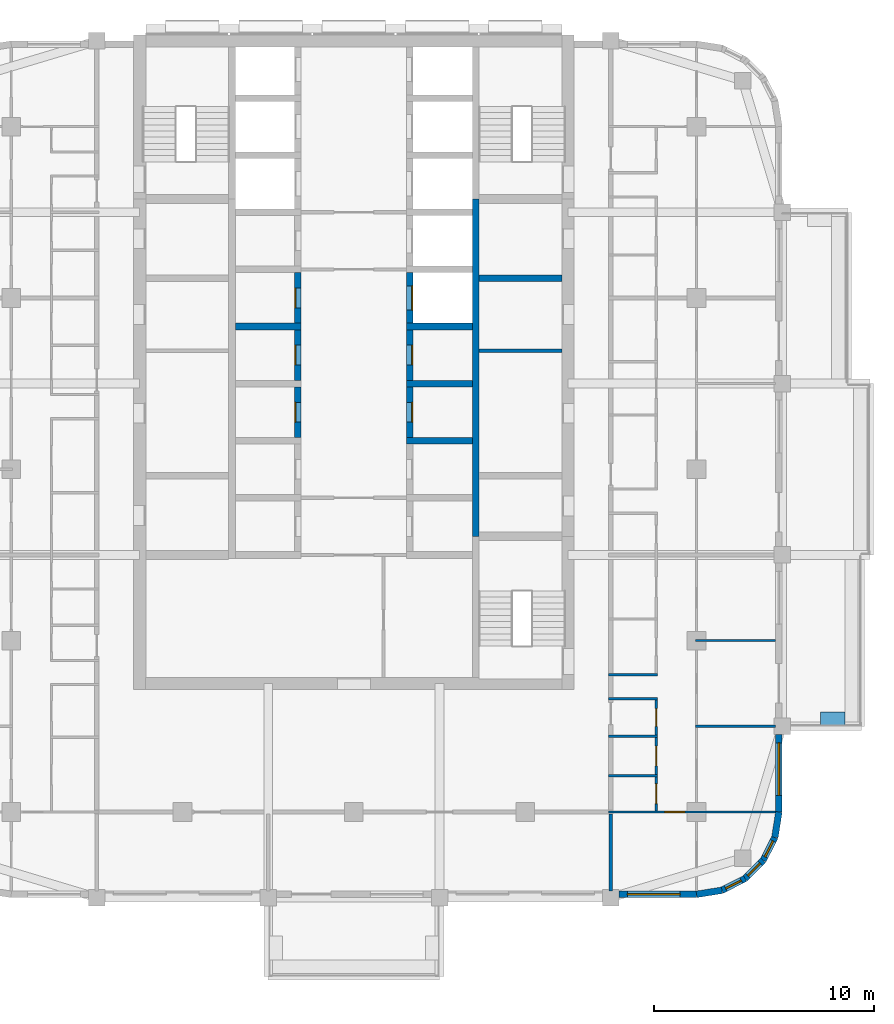
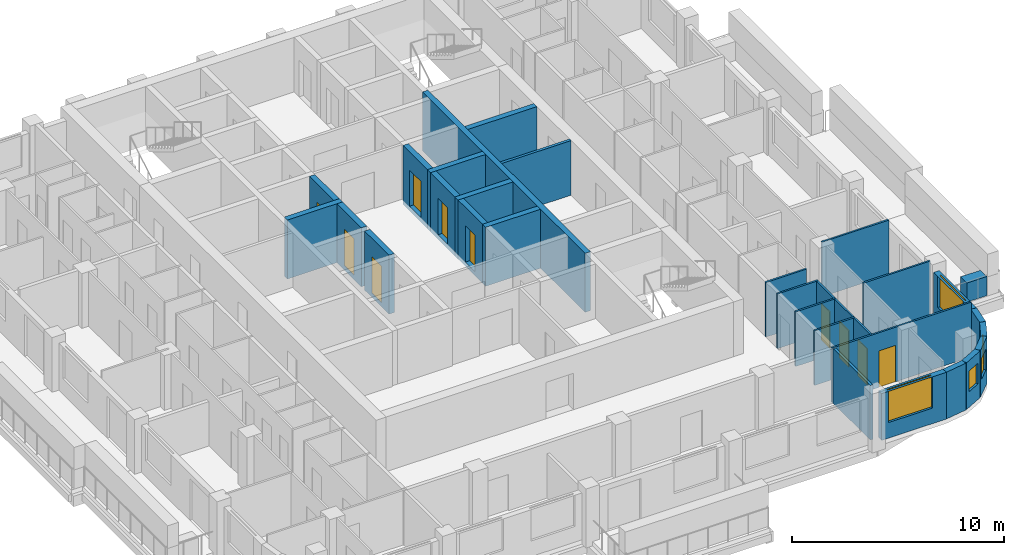
# One storey, part 5 of 13: 30 walls, 10 doors, 5 windows, 15 openings.
"""IFC4 building model written with IfcOpenShell, lengths in metres."""

from ifc_helpers import new_model, si_unit, direction, frame, frame_2d, origin, place, context, subcontext, project, spatial, rectangle, extrude, material, layer, layer_set, type_object, element, fill, save


model = new_model("IFC4")

# Units and contexts
model_context = context("Model", 3, precision=1e-05, world=origin(), true_north=direction((0.0, 1.0)))
body_context = subcontext(model_context, "Body", "Model", "MODEL_VIEW")
ifc_project = project(units=[si_unit("LENGTHUNIT", "METRE"), si_unit("AREAUNIT", "SQUARE_METRE"), si_unit("VOLUMEUNIT", "CUBIC_METRE"), si_unit("PLANEANGLEUNIT", "RADIAN"), si_unit("MASSUNIT", "GRAM", prefix="KILO")], contexts=[model_context])

# Site, building, storey
site_placement = place(None, origin())
site = spatial("IfcSite", under=ifc_project, at=site_placement, CompositionType="ELEMENT")
building_placement = place(site_placement, origin())
building = spatial("IfcBuilding", under=site, at=building_placement, Name="Ludao Terraces", CompositionType="ELEMENT")
storey_placement = place(building_placement, frame((0.0, 0.0, 165.60009765625)))
storey = spatial("IfcBuildingStorey", under=building, at=storey_placement, Name="L45", CompositionType="ELEMENT", Elevation=165.60009765625)

# Wall
ifc_material_1 = material(Name="Concrete C40", Category="concrete")
ifc_layer_1 = layer(ifc_material_1, 0.60009765625)
ifc_layer_set_1 = layer_set([ifc_layer_1], Name="ENV Planter trough 600")
wall_type_1 = type_object("IfcWallType", Name="ENV Planter trough 600", PredefinedType="USERDEFINED", material=ifc_layer_set_1)
wall_1_placement = place(storey_placement, frame((107.35009765625, 53.64990234375, 0.0), z_axis=(0.0, 0.0, 1.0), x_axis=(-1.0, 0.0, 0.0)))
element("IfcWall", 1, at=wall_1_placement, inside=storey, type_object=wall_type_1, Name="PL-L45-E1-SA", ObjectType="PLANTER", PredefinedType="USERDEFINED", context=body_context, shape_type="SweptSolid", body=[
    extrude(rectangle(XDim=1.10009765625, YDim=0.60009765625, at=frame_2d((0.550048828125, 0.0))), origin(), (0.0, 0.0, 1.0), 1.099853515625),
])

# Wall, opening, window
ifc_material_2 = material(Name="Granite cladding", Category="masonry")
ifc_layer_2 = layer(ifc_material_2, 0.0400390625, Category="stone")
ifc_material_3 = material(Name="Mineral wool")
ifc_layer_3 = layer(ifc_material_3, 0.06005859375)
ifc_layer_4 = layer(ifc_material_1, 0.199951171875, Category="concrete")
ifc_layer_set_2 = layer_set([ifc_layer_2, ifc_layer_3, ifc_layer_4], Name="ENV Stone-clad wall 300")
wall_type_2 = type_object("IfcWallType", Name="ENV Stone-clad wall 300", PredefinedType="SOLIDWALL", material=ifc_layer_set_2)
wall_2_placement = place(storey_placement, frame((97.074951171875, 45.64990234375, 0.0), z_axis=(0.0, 0.0, 1.0), x_axis=(1.0, 0.0, 0.0)))
wall_2 = element("IfcWall", 2, at=wall_2_placement, inside=storey, type_object=wall_type_2, Name="EW-L45-S5", PredefinedType="SOLIDWALL", context=body_context, shape_type="SweptSolid", body=[
    extrude(rectangle(XDim=3.525146484375, YDim=0.300048828125, at=frame_2d((1.7626953125, 0.0))), origin(), (0.0, 0.0, 1.0), 2.699951171875),
])
opening_1_placement = place(wall_2_placement, frame((0.375, 0.0, 0.89990234375)))
opening_1 = element("IfcOpeningElement", 3, at=opening_1_placement, cuts=wall_2, Name="Opening W1", PredefinedType="OPENING", context=body_context, shape_type="SweptSolid", body=[
    extrude(rectangle(XDim=2.39990234375, YDim=1.800048828125, at=frame_2d((1.199951171875, 0.89990234375))), frame((0.0, 0.16015625, 0.0), z_axis=(0.0, -1.0, 0.0), x_axis=(1.0, 0.0, 0.0)), (0.0, 0.0, 1.0), 0.320068359375),
])
ifc_material_4 = material(Name="Clear glass in aluminium frame", Category="aluminium")
ifc_layer_5 = layer(ifc_material_4, 0.06005859375)
ifc_layer_set_3 = layer_set([ifc_layer_5], Name="ENV Window W1 2400x1800")
window_type_1 = type_object("IfcWindowType", Name="ENV Window W1 2400x1800", PartitioningType="DOUBLE_PANEL_VERTICAL", PredefinedType="WINDOW", material=ifc_layer_set_3)
window_1_placement = place(opening_1_placement, origin())
window_1 = element("IfcWindow", 4, at=window_1_placement, inside=storey, type_object=window_type_1, Name="W-L45-S5-1", OverallHeight=1.800048828125, OverallWidth=2.39990234375, PartitioningType="DOUBLE_PANEL_VERTICAL", PredefinedType="WINDOW", context=body_context, shape_type="SweptSolid", body=[
    extrude(rectangle(XDim=2.39990234375, YDim=1.800048828125, at=frame_2d((1.199951171875, 0.89990234375))), frame((0.0, 0.030029296875, 0.0), z_axis=(0.0, -1.0, 0.0), x_axis=(1.0, 0.0, 0.0)), (0.0, 0.0, 1.0), 0.06005859375),
])
fill(opening_1, window_1)

wall_3_placement = place(storey_placement, frame((104.35009765625, 49.39990234375, 0.0), z_axis=(0.0, 0.0, 1.0), x_axis=(0.0, 1.0, 0.0)))
wall_3 = element("IfcWall", 5, at=wall_3_placement, inside=storey, type_object=wall_type_2, Name="EW-L45-E1", PredefinedType="SOLIDWALL", context=body_context, shape_type="SweptSolid", body=[
    extrude(rectangle(XDim=3.525146484375, YDim=0.300048828125, at=frame_2d((1.7626953125, 0.0))), origin(), (0.0, 0.0, 1.0), 2.699951171875),
])
opening_2_placement = place(wall_3_placement, frame((0.75, 0.0, 0.89990234375)))
opening_2 = element("IfcOpeningElement", 6, at=opening_2_placement, cuts=wall_3, Name="Opening W1", PredefinedType="OPENING", context=body_context, shape_type="SweptSolid", body=[
    extrude(rectangle(XDim=2.39990234375, YDim=1.800048828125, at=frame_2d((1.199951171875, 0.89990234375))), frame((0.0, 0.16015625, 0.0), z_axis=(0.0, -1.0, 0.0), x_axis=(1.0, 0.0, 0.0)), (0.0, 0.0, 1.0), 0.320068359375),
])
window_2_placement = place(opening_2_placement, origin())
window_2 = element("IfcWindow", 7, at=window_2_placement, inside=storey, type_object=window_type_1, Name="W-L45-E1-1", OverallHeight=1.800048828125, OverallWidth=2.39990234375, PartitioningType="DOUBLE_PANEL_VERTICAL", PredefinedType="WINDOW", context=body_context, shape_type="SweptSolid", body=[
    extrude(rectangle(XDim=2.39990234375, YDim=1.800048828125, at=frame_2d((1.199951171875, 0.89990234375))), frame((0.0, 0.030029296875, 0.0), z_axis=(0.0, -1.0, 0.0), x_axis=(1.0, 0.0, 0.0)), (0.0, 0.0, 1.0), 0.06005859375),
])
fill(opening_2, window_2)

# Wall
wall_4_placement = place(storey_placement, frame((100.60009765625, 45.64990234375, 0.0), z_axis=(0.0, 0.0, 1.0), x_axis=(0.987678452879, 0.156496880861, 0.0)))
element("IfcWall", 8, at=wall_4_placement, inside=storey, type_object=wall_type_2, Name="EW-L45-SE1", PredefinedType="SOLIDWALL", context=body_context, shape_type="SweptSolid", body=[
    extrude(rectangle(XDim=1.173095703125, YDim=0.300048828125, at=frame_2d((0.58642578125, 0.0))), origin(), (0.0, 0.0, 1.0), 2.699951171875),
])

# Wall, opening, window
wall_5_placement = place(storey_placement, frame((101.7587890625, 45.83349609375, 0.0), z_axis=(0.0, 0.0, 1.0), x_axis=(0.890988677504, 0.454025524128, 0.0)))
wall_5 = element("IfcWall", 9, at=wall_5_placement, inside=storey, type_object=wall_type_2, Name="EW-L45-SE2", PredefinedType="SOLIDWALL", context=body_context, shape_type="SweptSolid", body=[
    extrude(rectangle(XDim=1.17333984375, YDim=0.300048828125, at=frame_2d((0.586669921875, 0.0))), origin(), (0.0, 0.0, 1.0), 2.699951171875),
])
opening_3_placement = place(wall_5_placement, frame((0.1865234375, 0.0, 0.89990234375)))
opening_3 = element("IfcOpeningElement", 10, at=opening_3_placement, cuts=wall_5, Name="Opening W3", PredefinedType="OPENING", context=body_context, shape_type="SweptSolid", body=[
    extrude(rectangle(XDim=0.800048828125, YDim=1.199951171875, at=frame_2d((0.39990234375, 0.60009765625))), frame((0.0, 0.16015625, 0.0), z_axis=(0.0, -1.0, 0.0), x_axis=(1.0, 0.0, 0.0)), (0.0, 0.0, 1.0), 0.320068359375),
])
ifc_layer_6 = layer(ifc_material_4, 0.06005859375)
ifc_layer_set_4 = layer_set([ifc_layer_6], Name="ENV Window W3 800x1200")
window_type_2 = type_object("IfcWindowType", Name="ENV Window W3 800x1200", PartitioningType="SINGLE_PANEL", PredefinedType="WINDOW", material=ifc_layer_set_4)
window_3_placement = place(opening_3_placement, origin())
window_3 = element("IfcWindow", 11, at=window_3_placement, inside=storey, type_object=window_type_2, Name="W-L45-SE2", OverallHeight=1.199951171875, OverallWidth=0.800048828125, PartitioningType="SINGLE_PANEL", PredefinedType="WINDOW", context=body_context, shape_type="SweptSolid", body=[
    extrude(rectangle(XDim=0.800048828125, YDim=1.199951171875, at=frame_2d((0.39990234375, 0.60009765625))), frame((0.0, 0.030029296875, 0.0), z_axis=(0.0, -1.0, 0.0), x_axis=(1.0, 0.0, 0.0)), (0.0, 0.0, 1.0), 0.06005859375),
])
fill(opening_3, window_3)

wall_6_placement = place(storey_placement, frame((102.80419921875, 46.3662109375, 0.0), z_axis=(0.0, 0.0, 1.0), x_axis=(0.707106781187, 0.707106781187, 0.0)))
wall_6 = element("IfcWall", 12, at=wall_6_placement, inside=storey, type_object=wall_type_2, Name="EW-L45-SE3", PredefinedType="SOLIDWALL", context=body_context, shape_type="SweptSolid", body=[
    extrude(rectangle(XDim=1.173095703125, YDim=0.300048828125, at=frame_2d((0.58642578125, 0.0))), origin(), (0.0, 0.0, 1.0), 2.699951171875),
])
opening_4_placement = place(wall_6_placement, frame((0.1865234375, 0.0, 0.89990234375)))
opening_4 = element("IfcOpeningElement", 13, at=opening_4_placement, cuts=wall_6, Name="Opening W3", PredefinedType="OPENING", context=body_context, shape_type="SweptSolid", body=[
    extrude(rectangle(XDim=0.800048828125, YDim=1.199951171875, at=frame_2d((0.39990234375, 0.60009765625))), frame((0.0, 0.16015625, 0.0), z_axis=(0.0, -1.0, 0.0), x_axis=(1.0, 0.0, 0.0)), (0.0, 0.0, 1.0), 0.320068359375),
])
window_4_placement = place(opening_4_placement, origin())
window_4 = element("IfcWindow", 14, at=window_4_placement, inside=storey, type_object=window_type_2, Name="W-L45-SE3", OverallHeight=1.199951171875, OverallWidth=0.800048828125, PartitioningType="SINGLE_PANEL", PredefinedType="WINDOW", context=body_context, shape_type="SweptSolid", body=[
    extrude(rectangle(XDim=0.800048828125, YDim=1.199951171875, at=frame_2d((0.39990234375, 0.60009765625))), frame((0.0, 0.030029296875, 0.0), z_axis=(0.0, -1.0, 0.0), x_axis=(1.0, 0.0, 0.0)), (0.0, 0.0, 1.0), 0.06005859375),
])
fill(opening_4, window_4)

wall_7_placement = place(storey_placement, frame((103.6337890625, 47.19580078125, 0.0), z_axis=(0.0, 0.0, 1.0), x_axis=(0.454025524128, 0.890988677504, 0.0)))
wall_7 = element("IfcWall", 15, at=wall_7_placement, inside=storey, type_object=wall_type_2, Name="EW-L45-SE4", PredefinedType="SOLIDWALL", context=body_context, shape_type="SweptSolid", body=[
    extrude(rectangle(XDim=1.17333984375, YDim=0.300048828125, at=frame_2d((0.586669921875, 0.0))), origin(), (0.0, 0.0, 1.0), 2.699951171875),
])
opening_5_placement = place(wall_7_placement, frame((0.1865234375, 0.0, 0.89990234375)))
opening_5 = element("IfcOpeningElement", 16, at=opening_5_placement, cuts=wall_7, Name="Opening W3", PredefinedType="OPENING", context=body_context, shape_type="SweptSolid", body=[
    extrude(rectangle(XDim=0.800048828125, YDim=1.199951171875, at=frame_2d((0.39990234375, 0.60009765625))), frame((0.0, 0.16015625, 0.0), z_axis=(0.0, -1.0, 0.0), x_axis=(1.0, 0.0, 0.0)), (0.0, 0.0, 1.0), 0.320068359375),
])
window_5_placement = place(opening_5_placement, origin())
window_5 = element("IfcWindow", 17, at=window_5_placement, inside=storey, type_object=window_type_2, Name="W-L45-SE4", OverallHeight=1.199951171875, OverallWidth=0.800048828125, PartitioningType="SINGLE_PANEL", PredefinedType="WINDOW", context=body_context, shape_type="SweptSolid", body=[
    extrude(rectangle(XDim=0.800048828125, YDim=1.199951171875, at=frame_2d((0.39990234375, 0.60009765625))), frame((0.0, 0.030029296875, 0.0), z_axis=(0.0, -1.0, 0.0), x_axis=(1.0, 0.0, 0.0)), (0.0, 0.0, 1.0), 0.06005859375),
])
fill(opening_5, window_5)

# Walls
wall_8_placement = place(storey_placement, frame((104.16650390625, 48.2412109375, 0.0), z_axis=(0.0, 0.0, 1.0), x_axis=(0.156496880861, 0.987678452879, 0.0)))
element("IfcWall", 18, at=wall_8_placement, inside=storey, type_object=wall_type_2, Name="EW-L45-SE5", PredefinedType="SOLIDWALL", context=body_context, shape_type="SweptSolid", body=[
    extrude(rectangle(XDim=1.173095703125, YDim=0.300048828125, at=frame_2d((0.58642578125, 0.0))), origin(), (0.0, 0.0, 1.0), 2.699951171875),
])
ifc_material_5 = material(Name="Fire-rated gypsum plasterboard", Category="gypsum")
ifc_layer_7 = layer(ifc_material_5, 0.012451171875, Category="gypsum")
ifc_layer_8 = layer(ifc_material_3, 0.10009765625, Name="insulation")
ifc_material_6 = material(Name="Steel Q235", Category="steel")
ifc_layer_9 = layer(ifc_material_6, 0.02490234375, Name="stud")
ifc_layer_10 = layer(ifc_material_5, 0.012451171875, Category="gypsum")
ifc_layer_set_5 = layer_set([ifc_layer_7, ifc_layer_8, ifc_layer_9, ifc_layer_10], Name="INT Core partition 150")
wall_type_3 = type_object("IfcWallType", Name="INT Core partition 150", PredefinedType="PARTITIONING", material=ifc_layer_set_5)
wall_9_placement = place(storey_placement, frame((90.7001953125, 70.39990234375, 0.0), z_axis=(0.0, 0.0, 1.0), x_axis=(1.0, 0.0, 0.0)))
element("IfcWall", 19, at=wall_9_placement, inside=storey, type_object=wall_type_3, Name="PW-L45-PW030", PredefinedType="PARTITIONING", context=body_context, shape_type="SweptSolid", body=[
    extrude(rectangle(XDim=3.77490234375, YDim=0.14990234375, at=frame_2d((1.887451171875, 0.0))), origin(), (0.0, 0.0, 1.0), 3.14990234375),
])

# Wall, opening, door
ifc_material_7 = material(Name="Gypsum plasterboard", Category="gypsum")
ifc_layer_11 = layer(ifc_material_7, 0.012451171875, Category="gypsum")
ifc_layer_12 = layer(ifc_material_3, 0.06005859375, Name="insulation")
ifc_layer_13 = layer(ifc_material_6, 0.014892578125, Name="stud")
ifc_layer_14 = layer(ifc_material_7, 0.012451171875, Category="gypsum")
ifc_layer_set_6 = layer_set([ifc_layer_11, ifc_layer_12, ifc_layer_13, ifc_layer_14], Name="INT Partition 100")
wall_type_4 = type_object("IfcWallType", Name="INT Partition 100", PredefinedType="PARTITIONING", material=ifc_layer_set_6)
wall_10_placement = place(storey_placement, frame((96.60009765625, 49.39990234375, 0.0), z_axis=(0.0, 0.0, 1.0), x_axis=(1.0, 0.0, 0.0)))
wall_10 = element("IfcWall", 20, at=wall_10_placement, inside=storey, type_object=wall_type_4, Name="PW-L45-PW002", PredefinedType="PARTITIONING", context=body_context, shape_type="SweptSolid", body=[
    extrude(rectangle(XDim=7.60009765625, YDim=0.10009765625, at=frame_2d((3.800048828125, 0.0))), origin(), (0.0, 0.0, 1.0), 3.14990234375),
])
opening_6_placement = place(wall_10_placement, frame((2.56005859375, 0.0, 0.0)))
opening_6 = element("IfcOpeningElement", 21, at=opening_6_placement, cuts=wall_10, Name="Opening R15-006", PredefinedType="OPENING", context=body_context, shape_type="SweptSolid", body=[
    extrude(rectangle(XDim=0.89990234375, YDim=2.10009765625, at=frame_2d((0.449951171875, 1.050048828125))), frame((0.0, 0.06005859375, 0.0), z_axis=(0.0, -1.0, 0.0), x_axis=(1.0, 0.0, 0.0)), (0.0, 0.0, 1.0), 0.1201171875),
])
ifc_material_8 = material(Name="Timber door leaf", Category="wood")
door_type_1 = type_object("IfcDoorType", Name="INT Room door 900", OperationType="SINGLE_SWING_LEFT", PredefinedType="DOOR", material=ifc_material_8)
door_1_placement = place(opening_6_placement, origin())
door_1 = element("IfcDoor", 22, at=door_1_placement, inside=storey, type_object=door_type_1, Name="DOOR 006", OperationType="SINGLE_SWING_LEFT", OverallHeight=2.10009765625, OverallWidth=0.89990234375, PredefinedType="DOOR", context=body_context, shape_type="SweptSolid", body=[
    extrude(rectangle(XDim=0.89990234375, YDim=2.10009765625, at=frame_2d((0.449951171875, 1.050048828125))), frame((0.0, 0.02490234375, 0.0), z_axis=(0.0, -1.0, 0.0), x_axis=(1.0, 0.0, 0.0)), (0.0, 0.0, 1.0), 0.050048828125),
])
fill(opening_6, door_1)

# Walls
for number, where, z_axis, x_axis, name in (
    (23, (96.60009765625, 51.050048828125, 0.0), (0.0, 0.0, 1.0), (1.0, 0.0, 0.0), "PW-L45-PW003"),
    (24, (96.60009765625, 52.85009765625, 0.0), (0.0, 0.0, 1.0), (1.0, 0.0, 0.0), "PW-L45-PW005"),
):
    element("IfcWall", number, at=place(storey_placement, frame(where, z_axis=z_axis, x_axis=x_axis)), inside=storey, type_object=wall_type_4, Name=name, PredefinedType="PARTITIONING", context=body_context, shape_type="SweptSolid", body=[
        extrude(rectangle(XDim=2.219970703125, YDim=0.10009765625, at=frame_2d((1.10986328125, 0.0))), origin(), (0.0, 0.0, 1.0), 3.14990234375),
    ])
wall_11_placement = place(storey_placement, frame((100.550048828125, 53.300048828125, 0.0), z_axis=(0.0, 0.0, 1.0), x_axis=(1.0, 0.0, 0.0)))
element("IfcWall", 25, at=wall_11_placement, inside=storey, type_object=wall_type_4, Name="PW-L45-PW007", PredefinedType="PARTITIONING", context=body_context, shape_type="SweptSolid", body=[
    extrude(rectangle(XDim=3.650146484375, YDim=0.10009765625, at=frame_2d((1.8251953125, 0.0))), origin(), (0.0, 0.0, 1.0), 3.14990234375),
])
for number, where, z_axis, x_axis, name in (
    (26, (96.60009765625, 54.550048828125, 0.0), (0.0, 0.0, 1.0), (1.0, 0.0, 0.0), "PW-L45-PW008"),
    (27, (96.60009765625, 55.64990234375, 0.0), (0.0, 0.0, 1.0), (1.0, 0.0, 0.0), "PW-L45-PW010"),
):
    element("IfcWall", number, at=place(storey_placement, frame(where, z_axis=z_axis, x_axis=x_axis)), inside=storey, type_object=wall_type_4, Name=name, PredefinedType="PARTITIONING", context=body_context, shape_type="SweptSolid", body=[
        extrude(rectangle(XDim=2.219970703125, YDim=0.10009765625, at=frame_2d((1.10986328125, 0.0))), origin(), (0.0, 0.0, 1.0), 3.14990234375),
    ])
wall_12_placement = place(storey_placement, frame((100.550048828125, 57.199951171875, 0.0), z_axis=(0.0, 0.0, 1.0), x_axis=(1.0, 0.0, 0.0)))
element("IfcWall", 28, at=wall_12_placement, inside=storey, type_object=wall_type_4, Name="PW-L45-PW012", PredefinedType="PARTITIONING", context=body_context, shape_type="SweptSolid", body=[
    extrude(rectangle(XDim=3.650146484375, YDim=0.10009765625, at=frame_2d((1.8251953125, 0.0))), origin(), (0.0, 0.0, 1.0), 3.14990234375),
])

# Wall, openings, doors
wall_13_placement = place(storey_placement, frame((98.77001953125, 49.4501953125, 0.0), z_axis=(0.0, 0.0, 1.0), x_axis=(0.0, 1.0, 0.0)))
wall_13 = element("IfcWall", 29, at=wall_13_placement, inside=storey, type_object=wall_type_4, Name="PW-L45-PW057", PredefinedType="PARTITIONING", context=body_context, shape_type="SweptSolid", body=[
    extrude(rectangle(XDim=5.0498046875, YDim=0.10009765625, at=frame_2d((2.52490234375, 0.0))), origin(), (0.0, 0.0, 1.0), 3.14990234375),
])
opening_7_placement = place(wall_13_placement, frame((0.324951171875, 0.0, 0.0)))
opening_7 = element("IfcOpeningElement", 30, at=opening_7_placement, cuts=wall_13, Name="Opening R15-007", PredefinedType="OPENING", context=body_context, shape_type="SweptSolid", body=[
    extrude(rectangle(XDim=0.89990234375, YDim=2.10009765625, at=frame_2d((0.449951171875, 1.050048828125))), frame((0.0, 0.06005859375, 0.0), z_axis=(0.0, -1.0, 0.0), x_axis=(1.0, 0.0, 0.0)), (0.0, 0.0, 1.0), 0.1201171875),
])
opening_8_placement = place(wall_13_placement, frame((2.0498046875, 0.0, 0.0)))
opening_8 = element("IfcOpeningElement", 31, at=opening_8_placement, cuts=wall_13, Name="Opening R15-011", PredefinedType="OPENING", context=body_context, shape_type="SweptSolid", body=[
    extrude(rectangle(XDim=0.89990234375, YDim=2.10009765625, at=frame_2d((0.449951171875, 1.050048828125))), frame((0.0, 0.06005859375, 0.0), z_axis=(0.0, -1.0, 0.0), x_axis=(1.0, 0.0, 0.0)), (0.0, 0.0, 1.0), 0.1201171875),
])
opening_9_placement = place(wall_13_placement, frame((3.849853515625, 0.0, 0.0)))
opening_9 = element("IfcOpeningElement", 32, at=opening_9_placement, cuts=wall_13, Name="Opening R15-012", PredefinedType="OPENING", context=body_context, shape_type="SweptSolid", body=[
    extrude(rectangle(XDim=0.800048828125, YDim=2.10009765625, at=frame_2d((0.39990234375, 1.050048828125))), frame((0.0, 0.06005859375, 0.0), z_axis=(0.0, -1.0, 0.0), x_axis=(1.0, 0.0, 0.0)), (0.0, 0.0, 1.0), 0.1201171875),
])
door_type_2 = type_object("IfcDoorType", Name="INT Bathroom door 900", OperationType="SINGLE_SWING_LEFT", PredefinedType="DOOR", material=ifc_material_8)
door_2_placement = place(opening_7_placement, origin())
door_2 = element("IfcDoor", 33, at=door_2_placement, inside=storey, type_object=door_type_2, Name="DOOR 007", OperationType="SINGLE_SWING_LEFT", OverallHeight=2.10009765625, OverallWidth=0.89990234375, PredefinedType="DOOR", context=body_context, shape_type="SweptSolid", body=[
    extrude(rectangle(XDim=0.89990234375, YDim=2.10009765625, at=frame_2d((0.449951171875, 1.050048828125))), frame((0.0, 0.02490234375, 0.0), z_axis=(0.0, -1.0, 0.0), x_axis=(1.0, 0.0, 0.0)), (0.0, 0.0, 1.0), 0.050048828125),
])
fill(opening_7, door_2)
door_3_placement = place(opening_8_placement, origin())
door_3 = element("IfcDoor", 34, at=door_3_placement, inside=storey, type_object=door_type_2, Name="DOOR 011", OperationType="SINGLE_SWING_LEFT", OverallHeight=2.10009765625, OverallWidth=0.89990234375, PredefinedType="DOOR", context=body_context, shape_type="SweptSolid", body=[
    extrude(rectangle(XDim=0.89990234375, YDim=2.10009765625, at=frame_2d((0.449951171875, 1.050048828125))), frame((0.0, 0.02490234375, 0.0), z_axis=(0.0, -1.0, 0.0), x_axis=(1.0, 0.0, 0.0)), (0.0, 0.0, 1.0), 0.050048828125),
])
fill(opening_8, door_3)
door_type_3 = type_object("IfcDoorType", Name="INT Store door 800", OperationType="SINGLE_SWING_LEFT", PredefinedType="DOOR", material=ifc_material_8)
door_4_placement = place(opening_9_placement, origin())
door_4 = element("IfcDoor", 35, at=door_4_placement, inside=storey, type_object=door_type_3, Name="DOOR 012", OperationType="SINGLE_SWING_RIGHT", OverallHeight=2.10009765625, OverallWidth=0.800048828125, PredefinedType="DOOR", context=body_context, shape_type="SweptSolid", body=[
    extrude(rectangle(XDim=0.800048828125, YDim=2.10009765625, at=frame_2d((0.39990234375, 1.050048828125))), frame((0.0, 0.02490234375, 0.0), z_axis=(0.0, -1.0, 0.0), x_axis=(1.0, 0.0, 0.0)), (0.0, 0.0, 1.0), 0.050048828125),
])
fill(opening_9, door_4)

# Walls
ifc_material_9 = material(Name="Autoclaved aerated concrete block B06 A3.5", Category="concrete")
ifc_layer_15 = layer(ifc_material_9, 0.14990234375)
ifc_layer_set_7 = layer_set([ifc_layer_15], Name="INT Party wall 150")
wall_type_5 = type_object("IfcWallType", Name="INT Party wall 150", PredefinedType="PARTITIONING", material=ifc_layer_set_7)
wall_14_placement = place(storey_placement, frame((96.699951171875, 45.800048828125, 0.0), z_axis=(0.0, 0.0, 1.0), x_axis=(0.0, 1.0, 0.0)))
element("IfcWall", 36, at=wall_14_placement, inside=storey, type_object=wall_type_5, Name="PW-L45-PW055", PredefinedType="PARTITIONING", context=body_context, shape_type="SweptSolid", body=[
    extrude(rectangle(XDim=3.5, YDim=0.14990234375, at=frame_2d((1.75, 0.0))), origin(), (0.0, 0.0, 1.0), 3.14990234375),
])
ifc_material_10 = material(Name="Concrete C55", Category="concrete")
ifc_layer_16 = layer(ifc_material_10, 0.300048828125)
ifc_layer_set_8 = layer_set([ifc_layer_16], Name="Shaft wall 300 C55")
wall_type_6 = type_object("IfcWallType", Name="Shaft wall 300 C55", PredefinedType="SOLIDWALL", material=ifc_layer_set_8)
wall_15_placement = place(storey_placement, frame((90.550048828125, 61.949951171875, -0.25), z_axis=(0.0, 0.0, 1.0), x_axis=(0.0, 1.0, 0.0)))
element("IfcWall", 37, at=wall_15_placement, inside=storey, type_object=wall_type_6, Name="Core wall L45 back-E", PredefinedType="SOLIDWALL", context=body_context, shape_type="SweptSolid", body=[
    extrude(rectangle(XDim=15.35009765625, YDim=0.300048828125, at=frame_2d((7.675048828125, 0.0))), origin(), (0.0, 0.0, 1.0), 3.39990234375),
])

# Wall, opening, door
wall_16_placement = place(storey_placement, frame((82.449951171875, 66.449951171875, -0.25), z_axis=(0.0, 0.0, 1.0), x_axis=(0.0, 1.0, 0.0)))
wall_16 = element("IfcWall", 38, at=wall_16_placement, inside=storey, type_object=wall_type_6, Name="Core wall L45 front-W3", PredefinedType="SOLIDWALL", context=body_context, shape_type="SweptSolid", body=[
    extrude(rectangle(XDim=2.300048828125, YDim=0.300048828125, at=frame_2d((1.14990234375, 0.0))), origin(), (0.0, 0.0, 1.0), 3.39990234375),
])
opening_10_placement = place(wall_16_placement, frame((0.699951171875, 0.0, 0.25)))
opening_10 = element("IfcOpeningElement", 39, at=opening_10_placement, cuts=wall_16, Name="Opening R15-044", PredefinedType="OPENING", context=body_context, shape_type="SweptSolid", body=[
    extrude(rectangle(XDim=0.89990234375, YDim=2.10009765625, at=frame_2d((0.449951171875, 1.050048828125))), frame((0.0, 0.16015625, 0.0), z_axis=(0.0, -1.0, 0.0), x_axis=(1.0, 0.0, 0.0)), (0.0, 0.0, 1.0), 0.320068359375),
])
door_5_placement = place(opening_10_placement, origin())
door_5 = element("IfcDoor", 40, at=door_5_placement, inside=storey, type_object=door_type_1, Name="DOOR 044", OperationType="SINGLE_SWING_LEFT", OverallHeight=2.10009765625, OverallWidth=0.89990234375, PredefinedType="DOOR", context=body_context, shape_type="SweptSolid", body=[
    extrude(rectangle(XDim=0.89990234375, YDim=2.10009765625, at=frame_2d((0.449951171875, 1.050048828125))), frame((0.0, 0.13525390625, 0.0), z_axis=(0.0, -1.0, 0.0), x_axis=(1.0, 0.0, 0.0)), (0.0, 0.0, 1.0), 0.050048828125),
])
fill(opening_10, door_5)

wall_17_placement = place(storey_placement, frame((82.449951171875, 69.050048828125, -0.25), z_axis=(0.0, 0.0, 1.0), x_axis=(0.0, 1.0, 0.0)))
wall_17 = element("IfcWall", 41, at=wall_17_placement, inside=storey, type_object=wall_type_6, Name="Core wall L45 front-W4", PredefinedType="SOLIDWALL", context=body_context, shape_type="SweptSolid", body=[
    extrude(rectangle(XDim=2.300048828125, YDim=0.300048828125, at=frame_2d((1.14990234375, 0.0))), origin(), (0.0, 0.0, 1.0), 3.39990234375),
])
opening_11_placement = place(wall_17_placement, frame((0.699951171875, 0.0, 0.25)))
opening_11 = element("IfcOpeningElement", 42, at=opening_11_placement, cuts=wall_17, Name="Opening R15-050", PredefinedType="OPENING", context=body_context, shape_type="SweptSolid", body=[
    extrude(rectangle(XDim=0.89990234375, YDim=2.10009765625, at=frame_2d((0.449951171875, 1.050048828125))), frame((0.0, 0.16015625, 0.0), z_axis=(0.0, -1.0, 0.0), x_axis=(1.0, 0.0, 0.0)), (0.0, 0.0, 1.0), 0.320068359375),
])
door_6_placement = place(opening_11_placement, origin())
door_6 = element("IfcDoor", 43, at=door_6_placement, inside=storey, type_object=door_type_1, Name="DOOR 050", OperationType="SINGLE_SWING_RIGHT", OverallHeight=2.10009765625, OverallWidth=0.89990234375, PredefinedType="DOOR", context=body_context, shape_type="SweptSolid", body=[
    extrude(rectangle(XDim=0.89990234375, YDim=2.10009765625, at=frame_2d((0.449951171875, 1.050048828125))), frame((0.0, 0.13525390625, 0.0), z_axis=(0.0, -1.0, 0.0), x_axis=(1.0, 0.0, 0.0)), (0.0, 0.0, 1.0), 0.050048828125),
])
fill(opening_11, door_6)

# Wall
wall_18_placement = place(storey_placement, frame((79.60009765625, 71.5, -0.25), z_axis=(0.0, 0.0, 1.0), x_axis=(1.0, 0.0, 0.0)))
element("IfcWall", 44, at=wall_18_placement, inside=storey, type_object=wall_type_6, Name="Core wall L45 div-W5", PredefinedType="SOLIDWALL", context=body_context, shape_type="SweptSolid", body=[
    extrude(rectangle(XDim=3.0, YDim=0.300048828125, at=frame_2d((1.5, 0.0))), origin(), (0.0, 0.0, 1.0), 3.39990234375),
])

# Wall, opening, door
wall_19_placement = place(storey_placement, frame((82.449951171875, 71.64990234375, -0.25), z_axis=(0.0, 0.0, 1.0), x_axis=(0.0, 1.0, 0.0)))
wall_19 = element("IfcWall", 45, at=wall_19_placement, inside=storey, type_object=wall_type_6, Name="Core wall L45 front-W5", PredefinedType="SOLIDWALL", context=body_context, shape_type="SweptSolid", body=[
    extrude(rectangle(XDim=2.300048828125, YDim=0.300048828125, at=frame_2d((1.14990234375, 0.0))), origin(), (0.0, 0.0, 1.0), 3.39990234375),
])
opening_12_placement = place(wall_19_placement, frame((0.699951171875, 0.0, 0.25)))
opening_12 = element("IfcOpeningElement", 46, at=opening_12_placement, cuts=wall_19, Name="Opening R15-057", PredefinedType="OPENING", context=body_context, shape_type="SweptSolid", body=[
    extrude(rectangle(XDim=0.89990234375, YDim=2.10009765625, at=frame_2d((0.449951171875, 1.050048828125))), frame((0.0, 0.16015625, 0.0), z_axis=(0.0, -1.0, 0.0), x_axis=(1.0, 0.0, 0.0)), (0.0, 0.0, 1.0), 0.320068359375),
])
door_7_placement = place(opening_12_placement, origin())
door_7 = element("IfcDoor", 47, at=door_7_placement, inside=storey, type_object=door_type_1, Name="DOOR 057", OperationType="SINGLE_SWING_LEFT", OverallHeight=2.10009765625, OverallWidth=0.89990234375, PredefinedType="DOOR", context=body_context, shape_type="SweptSolid", body=[
    extrude(rectangle(XDim=0.89990234375, YDim=2.10009765625, at=frame_2d((0.449951171875, 1.050048828125))), frame((0.0, 0.13525390625, 0.0), z_axis=(0.0, -1.0, 0.0), x_axis=(1.0, 0.0, 0.0)), (0.0, 0.0, 1.0), 0.050048828125),
])
fill(opening_12, door_7)

# Wall
wall_20_placement = place(storey_placement, frame((87.39990234375, 66.300048828125, -0.25), z_axis=(0.0, 0.0, 1.0), x_axis=(1.0, 0.0, 0.0)))
element("IfcWall", 48, at=wall_20_placement, inside=storey, type_object=wall_type_6, Name="Core wall L45 div-E3", PredefinedType="SOLIDWALL", context=body_context, shape_type="SweptSolid", body=[
    extrude(rectangle(XDim=3.0, YDim=0.300048828125, at=frame_2d((1.5, 0.0))), origin(), (0.0, 0.0, 1.0), 3.39990234375),
])

# Wall, opening, door
wall_21_placement = place(storey_placement, frame((87.550048828125, 66.449951171875, -0.25), z_axis=(0.0, 0.0, 1.0), x_axis=(0.0, 1.0, 0.0)))
wall_21 = element("IfcWall", 49, at=wall_21_placement, inside=storey, type_object=wall_type_6, Name="Core wall L45 front-E3", PredefinedType="SOLIDWALL", context=body_context, shape_type="SweptSolid", body=[
    extrude(rectangle(XDim=2.300048828125, YDim=0.300048828125, at=frame_2d((1.14990234375, 0.0))), origin(), (0.0, 0.0, 1.0), 3.39990234375),
])
opening_13_placement = place(wall_21_placement, frame((0.699951171875, 0.0, 0.25)))
opening_13 = element("IfcOpeningElement", 50, at=opening_13_placement, cuts=wall_21, Name="Opening R15-045", PredefinedType="OPENING", context=body_context, shape_type="SweptSolid", body=[
    extrude(rectangle(XDim=0.89990234375, YDim=2.10009765625, at=frame_2d((0.449951171875, 1.050048828125))), frame((0.0, 0.16015625, 0.0), z_axis=(0.0, -1.0, 0.0), x_axis=(1.0, 0.0, 0.0)), (0.0, 0.0, 1.0), 0.320068359375),
])
door_8_placement = place(opening_13_placement, origin())
door_8 = element("IfcDoor", 51, at=door_8_placement, inside=storey, type_object=door_type_1, Name="DOOR 045", OperationType="SINGLE_SWING_RIGHT", OverallHeight=2.10009765625, OverallWidth=0.89990234375, PredefinedType="DOOR", context=body_context, shape_type="SweptSolid", body=[
    extrude(rectangle(XDim=0.89990234375, YDim=2.10009765625, at=frame_2d((0.449951171875, 1.050048828125))), frame((0.0, -0.0849609375, 0.0), z_axis=(0.0, -1.0, 0.0), x_axis=(1.0, 0.0, 0.0)), (0.0, 0.0, 1.0), 0.050048828125),
])
fill(opening_13, door_8)

# Wall
wall_22_placement = place(storey_placement, frame((87.39990234375, 68.89990234375, -0.25), z_axis=(0.0, 0.0, 1.0), x_axis=(1.0, 0.0, 0.0)))
element("IfcWall", 52, at=wall_22_placement, inside=storey, type_object=wall_type_6, Name="Core wall L45 div-E4", PredefinedType="SOLIDWALL", context=body_context, shape_type="SweptSolid", body=[
    extrude(rectangle(XDim=3.0, YDim=0.300048828125, at=frame_2d((1.5, 0.0))), origin(), (0.0, 0.0, 1.0), 3.39990234375),
])

# Wall, opening, door
wall_23_placement = place(storey_placement, frame((87.550048828125, 69.050048828125, -0.25), z_axis=(0.0, 0.0, 1.0), x_axis=(0.0, 1.0, 0.0)))
wall_23 = element("IfcWall", 53, at=wall_23_placement, inside=storey, type_object=wall_type_6, Name="Core wall L45 front-E4", PredefinedType="SOLIDWALL", context=body_context, shape_type="SweptSolid", body=[
    extrude(rectangle(XDim=2.300048828125, YDim=0.300048828125, at=frame_2d((1.14990234375, 0.0))), origin(), (0.0, 0.0, 1.0), 3.39990234375),
])
opening_14_placement = place(wall_23_placement, frame((0.699951171875, 0.0, 0.25)))
opening_14 = element("IfcOpeningElement", 54, at=opening_14_placement, cuts=wall_23, Name="Opening R15-051", PredefinedType="OPENING", context=body_context, shape_type="SweptSolid", body=[
    extrude(rectangle(XDim=0.89990234375, YDim=2.10009765625, at=frame_2d((0.449951171875, 1.050048828125))), frame((0.0, 0.16015625, 0.0), z_axis=(0.0, -1.0, 0.0), x_axis=(1.0, 0.0, 0.0)), (0.0, 0.0, 1.0), 0.320068359375),
])
door_9_placement = place(opening_14_placement, origin())
door_9 = element("IfcDoor", 55, at=door_9_placement, inside=storey, type_object=door_type_1, Name="DOOR 051", OperationType="SINGLE_SWING_LEFT", OverallHeight=2.10009765625, OverallWidth=0.89990234375, PredefinedType="DOOR", context=body_context, shape_type="SweptSolid", body=[
    extrude(rectangle(XDim=0.89990234375, YDim=2.10009765625, at=frame_2d((0.449951171875, 1.050048828125))), frame((0.0, -0.0849609375, 0.0), z_axis=(0.0, -1.0, 0.0), x_axis=(1.0, 0.0, 0.0)), (0.0, 0.0, 1.0), 0.050048828125),
])
fill(opening_14, door_9)

# Wall
wall_24_placement = place(storey_placement, frame((87.39990234375, 71.5, -0.25), z_axis=(0.0, 0.0, 1.0), x_axis=(1.0, 0.0, 0.0)))
element("IfcWall", 56, at=wall_24_placement, inside=storey, type_object=wall_type_6, Name="Core wall L45 div-E5", PredefinedType="SOLIDWALL", context=body_context, shape_type="SweptSolid", body=[
    extrude(rectangle(XDim=3.0, YDim=0.300048828125, at=frame_2d((1.5, 0.0))), origin(), (0.0, 0.0, 1.0), 3.39990234375),
])

# Wall, opening, door
wall_25_placement = place(storey_placement, frame((87.550048828125, 71.64990234375, -0.25), z_axis=(0.0, 0.0, 1.0), x_axis=(0.0, 1.0, 0.0)))
wall_25 = element("IfcWall", 57, at=wall_25_placement, inside=storey, type_object=wall_type_6, Name="Core wall L45 front-E5", PredefinedType="SOLIDWALL", context=body_context, shape_type="SweptSolid", body=[
    extrude(rectangle(XDim=2.300048828125, YDim=0.300048828125, at=frame_2d((1.14990234375, 0.0))), origin(), (0.0, 0.0, 1.0), 3.39990234375),
])
opening_15_placement = place(wall_25_placement, frame((0.60009765625, 0.0, 0.25)))
opening_15 = element("IfcOpeningElement", 58, at=opening_15_placement, cuts=wall_25, Name="Opening LD-LB1", PredefinedType="OPENING", context=body_context, shape_type="SweptSolid", body=[
    extrude(rectangle(XDim=1.10009765625, YDim=2.10009765625, at=frame_2d((0.550048828125, 1.050048828125))), frame((0.0, 0.16015625, 0.0), z_axis=(0.0, -1.0, 0.0), x_axis=(1.0, 0.0, 0.0)), (0.0, 0.0, 1.0), 0.320068359375),
])
ifc_material_11 = material(Name="Stainless steel 304", Category="steel")
door_type_4 = type_object("IfcDoorType", Name="INT Lift landing door 1100", OperationType="SLIDING_TO_LEFT", PredefinedType="DOOR", material=ifc_material_11)
door_10_placement = place(opening_15_placement, origin())
door_10 = element("IfcDoor", 59, at=door_10_placement, inside=storey, type_object=door_type_4, Name="LANDING DOOR LB1 L45", OperationType="SLIDING_TO_LEFT", OverallHeight=2.10009765625, OverallWidth=1.10009765625, PredefinedType="DOOR", context=body_context, shape_type="SweptSolid", body=[
    extrude(rectangle(XDim=1.10009765625, YDim=2.10009765625, at=frame_2d((0.550048828125, 1.050048828125))), frame((0.0, -0.0849609375, 0.0), z_axis=(0.0, -1.0, 0.0), x_axis=(1.0, 0.0, 0.0)), (0.0, 0.0, 1.0), 0.050048828125),
])
fill(opening_15, door_10)

# Wall
wall_26_placement = place(storey_placement, frame((90.699951171875, 73.699951171875, -0.25), z_axis=(0.0, 0.0, 1.0), x_axis=(1.0, 0.0, 0.0)))
element("IfcWall", 60, at=wall_26_placement, inside=storey, type_object=wall_type_6, Name="Core wall L45 riser-b-E", PredefinedType="SOLIDWALL", context=body_context, shape_type="SweptSolid", body=[
    extrude(rectangle(XDim=3.775146484375, YDim=0.300048828125, at=frame_2d((1.8876953125, 0.0))), origin(), (0.0, 0.0, 1.0), 3.39990234375),
])

save(model, "model.ifc")
